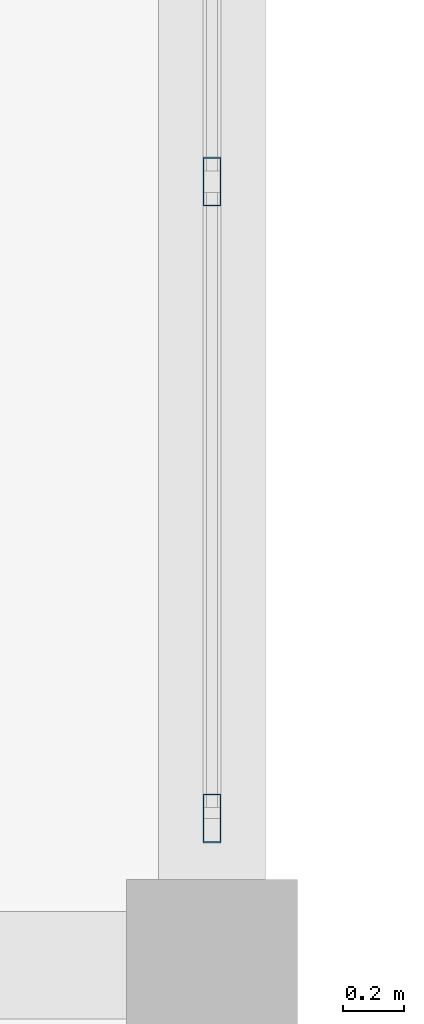
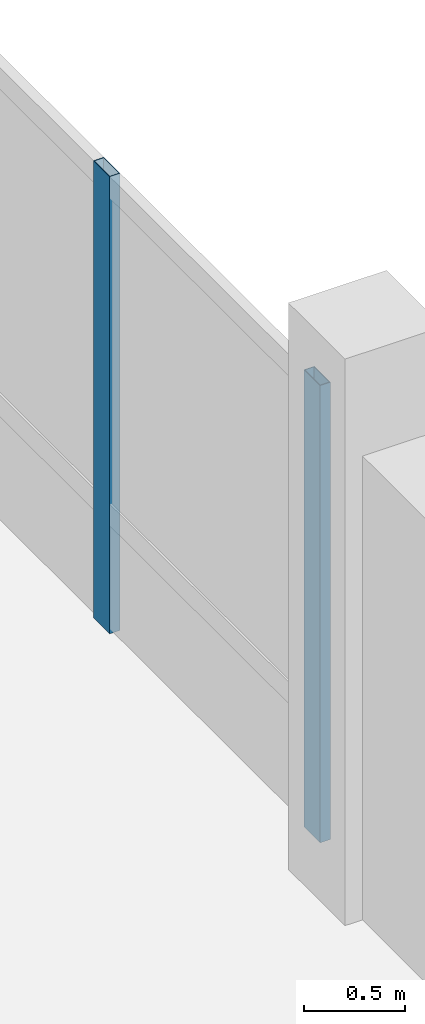
# One storey, part 10 of 66: 2 members, 1 element without a shape of its own.
"""IFC4 building model written with IfcOpenShell, lengths in metres."""

from ifc_helpers import new_model, si_unit, direction, frame, origin, origin_2d, place, context, subcontext, project, spatial, hollow_rectangle, extrude, material, material_profile, profile_set, type_object, element, aggregate, save


model = new_model("IFC4")

# Units and contexts
model_context = context("Model", 3, precision=1e-05, world=origin(), true_north=direction((0.0, 1.0)))
body_context = subcontext(model_context, "Body", "Model", "MODEL_VIEW")
ifc_project = project(units=[si_unit("LENGTHUNIT", "METRE"), si_unit("AREAUNIT", "SQUARE_METRE"), si_unit("VOLUMEUNIT", "CUBIC_METRE"), si_unit("PLANEANGLEUNIT", "RADIAN"), si_unit("MASSUNIT", "GRAM", prefix="KILO")], contexts=[model_context])

# Site, building, storey
site_placement = place(None, origin())
site = spatial("IfcSite", under=ifc_project, at=site_placement, CompositionType="ELEMENT")
building_placement = place(site_placement, origin())
building = spatial("IfcBuilding", under=site, at=building_placement, Name="Zornivar Specialist Clinic", CompositionType="ELEMENT")
storey_placement = place(building_placement, frame((0.0, 0.0, 16.0)))
storey = spatial("IfcBuildingStorey", under=building, at=storey_placement, Name="L04", CompositionType="ELEMENT", Elevation=16.0)

# Curtain wall, members
ifc_material_1 = material(Name="Aluminium and Low-E Glass Curtain Wall", Category="aluminium")
curtain_wall_type = type_object("IfcCurtainWallType", Name="CW-REVAK-COURT", PredefinedType="NOTDEFINED", material=ifc_material_1)
curtain_wall_placement = place(storey_placement, origin())
curtain_wall = element("IfcCurtainWall", 1, at=curtain_wall_placement, inside=storey, type_object=curtain_wall_type, Name="cw:V2:L04:14", PredefinedType="NOTDEFINED")
ifc_material_2 = material(Name="Aluminium AW-6060", Category="aluminium")
ifc_material_profile = material_profile(ifc_material_2, hollow_rectangle(XDim=0.06005859375, YDim=0.159912109375, WallThickness=0.00390625, at=origin_2d()), Name="ALU 60x160x4")
ifc_profile_set = profile_set([ifc_material_profile], Name="Aluminium AW-6060")
member_type = type_object("IfcMemberType", Name="CWM-MUL-160", PredefinedType="MULLION", material=ifc_profile_set)
member_1_placement = place(storey_placement, frame((14.39990234375, 29.280029296875, 0.0), z_axis=(0.0, 0.0, 1.0), x_axis=(1.0, 0.0, 0.0)))
member_1 = element("IfcMember", 2, at=member_1_placement, type_object=member_type, Name="cw:V2:L04:14:mul:0", PredefinedType="MULLION", context=body_context, shape_type="SweptSolid", body=[
    extrude(hollow_rectangle(XDim=0.06005859375, YDim=0.159912109375, WallThickness=0.00390625, at=origin_2d()), origin(), (0.0, 0.0, 1.0), 2.760009765625),
])
member_2_placement = place(storey_placement, frame((14.39990234375, 31.360107421875, 0.0), z_axis=(0.0, 0.0, 1.0), x_axis=(1.0, 0.0, 0.0)))
member_2 = element("IfcMember", 3, at=member_2_placement, type_object=member_type, Name="cw:V2:L04:14:mul:1", PredefinedType="MULLION", context=body_context, shape_type="SweptSolid", body=[
    extrude(hollow_rectangle(XDim=0.06005859375, YDim=0.159912109375, WallThickness=0.00390625, at=origin_2d()), origin(), (0.0, 0.0, 1.0), 2.760009765625),
])
aggregate(curtain_wall, [member_1, member_2])

save(model, "model.ifc")
